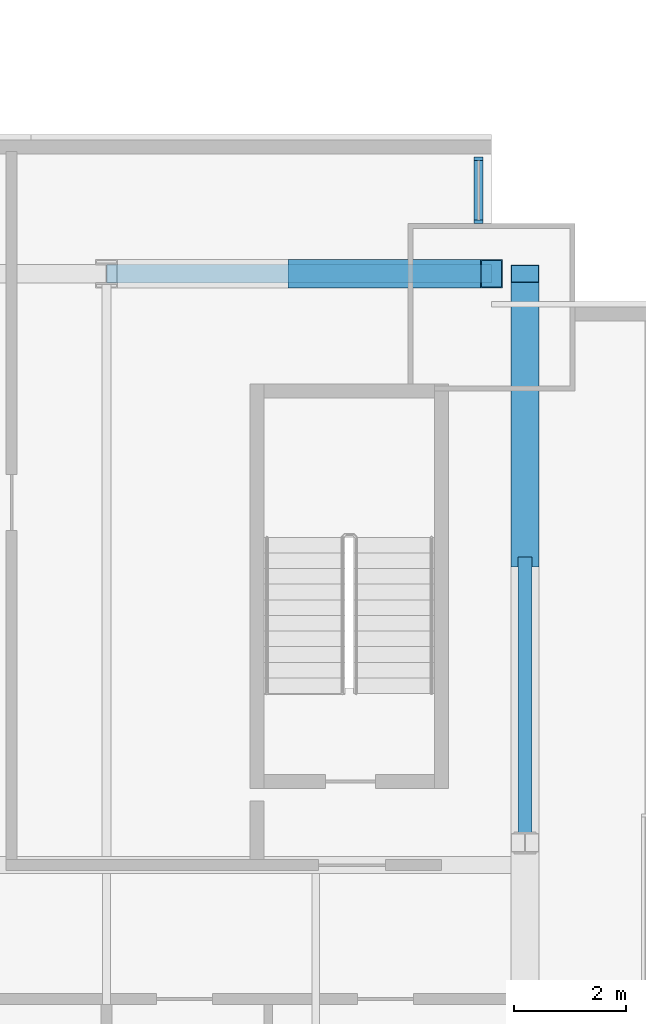
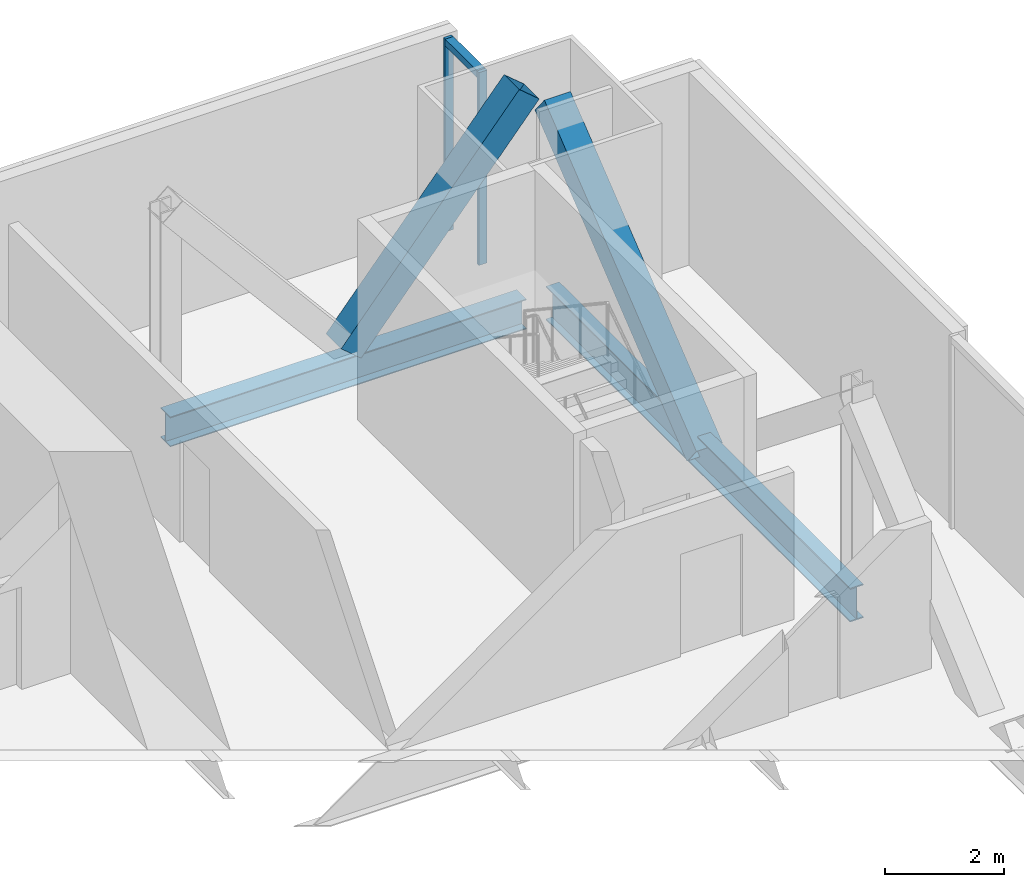
# One storey, part 13 of 21: 5 members, 2 beams, 1 element without a shape of its own.
"""IFC4 building model written with IfcOpenShell, lengths in metres."""

from ifc_helpers import new_model, si_unit, direction, frame, origin, origin_2d, place, context, subcontext, project, spatial, rectangle, hollow_rectangle, i_section, extrude, material, material_profile, profile_set, type_object, element, aggregate, save


model = new_model("IFC4")

# Units and contexts
model_context = context("Model", 3, precision=1e-05, world=origin(), true_north=direction((0.0, 1.0)))
body_context = subcontext(model_context, "Body", "Model", "MODEL_VIEW")
ifc_project = project(units=[si_unit("LENGTHUNIT", "METRE"), si_unit("AREAUNIT", "SQUARE_METRE"), si_unit("VOLUMEUNIT", "CUBIC_METRE"), si_unit("PLANEANGLEUNIT", "RADIAN"), si_unit("MASSUNIT", "GRAM", prefix="KILO")], contexts=[model_context])

# Site, building, storey
site_placement = place(None, origin())
site = spatial("IfcSite", under=ifc_project, at=site_placement, CompositionType="ELEMENT")
building_placement = place(site_placement, origin())
building = spatial("IfcBuilding", under=site, at=building_placement, Name="Bicima Exchange Tower", CompositionType="ELEMENT")
storey_placement = place(building_placement, frame((0.0, 0.0, 122.699951171875)))
storey = spatial("IfcBuildingStorey", under=building, at=storey_placement, Name="L26", CompositionType="ELEMENT", Elevation=122.699951171875)

# Beam
ifc_material_1 = material(Name="Steel ASTM A992 Gr 50", Category="steel")
ifc_material_profile_1 = material_profile(ifc_material_1, i_section(OverallWidth=0.256591796875, OverallDepth=0.693359375, WebThickness=0.014404296875, FlangeThickness=0.023681640625, at=origin_2d()))
ifc_profile_set_1 = profile_set([ifc_material_profile_1], Name="Steel ASTM A992 Gr 50")
beam_type_1 = type_object("IfcBeamType", Name="End girder W27x114", PredefinedType="BEAM", material=ifc_profile_set_1)
beam_1_placement = place(storey_placement, frame((33.60009765625, -2.39990234375, -0.49658203125), z_axis=(0.0, -1.0, 0.0), x_axis=(1.0, 0.0, 0.0)))
element("IfcBeam", 1, at=beam_1_placement, inside=storey, type_object=beam_type_1, Name="End girder", PredefinedType="BEAM", context=body_context, shape_type="SweptSolid", body=[
    extrude(i_section(OverallWidth=0.256591796875, OverallDepth=0.693359375, WebThickness=0.014404296875, FlangeThickness=0.023681640625, at=origin_2d()), origin(), (0.0, 0.0, 1.0), 10.2001953125),
])

# Curtain wall, members
ifc_material_2 = material(Name="Anodised bronze aluminium", Category="aluminium")
curtain_wall_type = type_object("IfcCurtainWallType", Name="Front glass wall", PredefinedType="NOTDEFINED", material=ifc_material_2)
curtain_wall_placement = place(storey_placement, origin())
curtain_wall = element("IfcCurtainWall", 2, at=curtain_wall_placement, inside=storey, type_object=curtain_wall_type, Name="Front glass wall L26 run 20", PredefinedType="NOTDEFINED")
ifc_material_profile_2 = material_profile(ifc_material_2, rectangle(XDim=0.159912109375, YDim=0.06005859375, at=origin_2d()))
ifc_profile_set_2 = profile_set([ifc_material_profile_2], Name="Anodised bronze aluminium")
member_type_1 = type_object("IfcMemberType", Name="Front glass wall mullion 60 x 160", PredefinedType="MULLION", material=ifc_profile_set_2)
member_1_placement = place(storey_placement, frame((32.77001953125, -1.469970703125, 0.0), z_axis=(0.0, 0.0, 1.0), x_axis=(-1.0, 0.0, 0.0)))
member_1 = element("IfcMember", 3, at=member_1_placement, type_object=member_type_1, Name="Front glass wall mullion 1", PredefinedType="MULLION", context=body_context, shape_type="SweptSolid", body=[
    extrude(rectangle(XDim=0.159912109375, YDim=0.06005859375, at=origin_2d()), origin(), (0.0, 0.0, 1.0), 3.949951171875),
])
member_2_placement = place(storey_placement, frame((32.77001953125, -0.340087890625, 0.0), z_axis=(0.0, 0.0, 1.0), x_axis=(-1.0, 0.0, 0.0)))
member_2 = element("IfcMember", 4, at=member_2_placement, type_object=member_type_1, Name="Front glass wall mullion 2", PredefinedType="MULLION", context=body_context, shape_type="SweptSolid", body=[
    extrude(rectangle(XDim=0.159912109375, YDim=0.06005859375, at=origin_2d()), origin(), (0.0, 0.0, 1.0), 3.949951171875),
])
ifc_material_profile_3 = material_profile(ifc_material_2, rectangle(XDim=0.159912109375, YDim=0.139892578125, at=origin_2d()))
ifc_profile_set_3 = profile_set([ifc_material_profile_3], Name="Anodised bronze aluminium")
member_type_2 = type_object("IfcMemberType", Name="Front glass wall transom 140 x 160", PredefinedType="USERDEFINED", material=ifc_profile_set_3)
member_3_placement = place(storey_placement, frame((32.77001953125, -1.43994140625, 3.880126953125), z_axis=(0.0, 1.0, 0.0), x_axis=(-1.0, 0.0, 0.0)))
member_3 = element("IfcMember", 5, at=member_3_placement, type_object=member_type_2, Name="Front glass wall transom 1.1", ObjectType="TRANSOM", PredefinedType="USERDEFINED", context=body_context, shape_type="SweptSolid", body=[
    extrude(rectangle(XDim=0.159912109375, YDim=0.139892578125, at=origin_2d()), origin(), (0.0, 0.0, 1.0), 1.06982421875),
])
aggregate(curtain_wall, [member_1, member_2, member_3])

# Members
ifc_material_3 = material(Name="Steel ASTM A572 Gr 50", Category="steel")
ifc_material_profile_4 = material_profile(ifc_material_3, hollow_rectangle(XDim=0.508056640625, YDim=0.508056640625, WallThickness=0.0146484375, at=origin_2d()))
ifc_profile_set_4 = profile_set([ifc_material_profile_4], Name="Steel ASTM A572 Gr 50")
member_type_3 = type_object("IfcMemberType", Name="Mega brace HSS20x20x5/8", PredefinedType="BRACE", material=ifc_profile_set_4)
member_4_placement = place(storey_placement, frame((29.550048828125, -2.39990234375, 0.0), z_axis=(0.643834042494, 0.0, 0.765165162384), x_axis=(0.0, 1.0, 0.0)))
element("IfcMember", 6, at=member_4_placement, inside=storey, type_object=member_type_3, Name="Mega brace rear", PredefinedType="BRACE", context=body_context, shape_type="SweptSolid", body=[
    extrude(hollow_rectangle(XDim=0.508056640625, YDim=0.508056640625, WallThickness=0.0146484375, at=origin_2d()), origin(), (0.0, 0.0, 1.0), 5.3583984375),
])
member_5_placement = place(storey_placement, frame((33.60009765625, -7.5, -0.49658203125), z_axis=(0.0, 0.779392460608, 0.626536026376), x_axis=(-1.0, 0.0, 0.0)))
element("IfcMember", 7, at=member_5_placement, inside=storey, type_object=member_type_3, Name="Mega brace east end", PredefinedType="BRACE", context=body_context, shape_type="SweptSolid", body=[
    extrude(hollow_rectangle(XDim=0.508056640625, YDim=0.508056640625, WallThickness=0.0146484375, at=origin_2d()), origin(), (0.0, 0.0, 1.0), 6.543701171875),
])

# Beam
ifc_material_profile_5 = material_profile(ifc_material_1, i_section(OverallWidth=0.3251953125, OverallDepth=0.612060546875, WebThickness=0.0126953125, FlangeThickness=0.01904296875, at=origin_2d()))
ifc_profile_set_5 = profile_set([ifc_material_profile_5], Name="Steel ASTM A992 Gr 50")
beam_type_2 = type_object("IfcBeamType", Name="Rear girder W24x104", PredefinedType="BEAM", material=ifc_profile_set_5)
beam_2_placement = place(storey_placement, frame((26.10009765625, -2.39990234375, -0.4560546875), z_axis=(1.0, 0.0, 0.0), x_axis=(0.0, 1.0, 0.0)))
element("IfcBeam", 8, at=beam_2_placement, inside=storey, type_object=beam_type_2, Name="Rear girder", PredefinedType="BEAM", context=body_context, shape_type="SweptSolid", body=[
    extrude(i_section(OverallWidth=0.3251953125, OverallDepth=0.612060546875, WebThickness=0.0126953125, FlangeThickness=0.01904296875, at=origin_2d()), origin(), (0.0, 0.0, 1.0), 6.89990234375),
])

save(model, "model.ifc")
